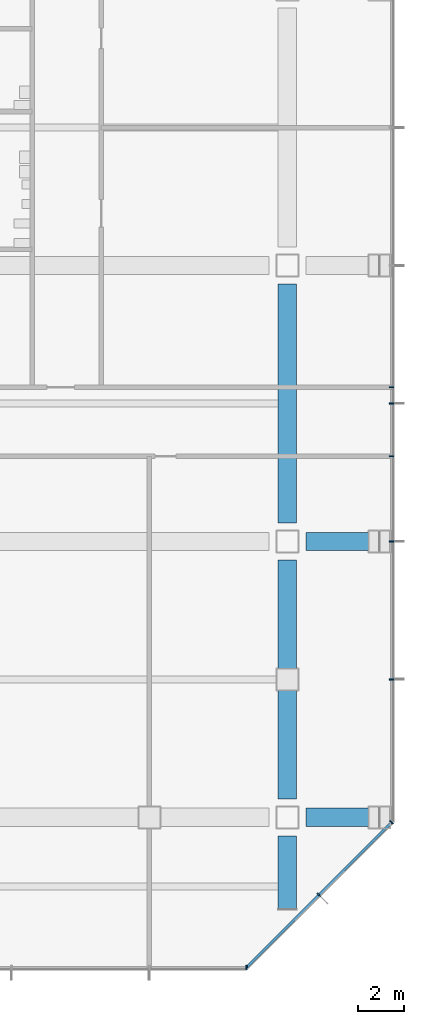
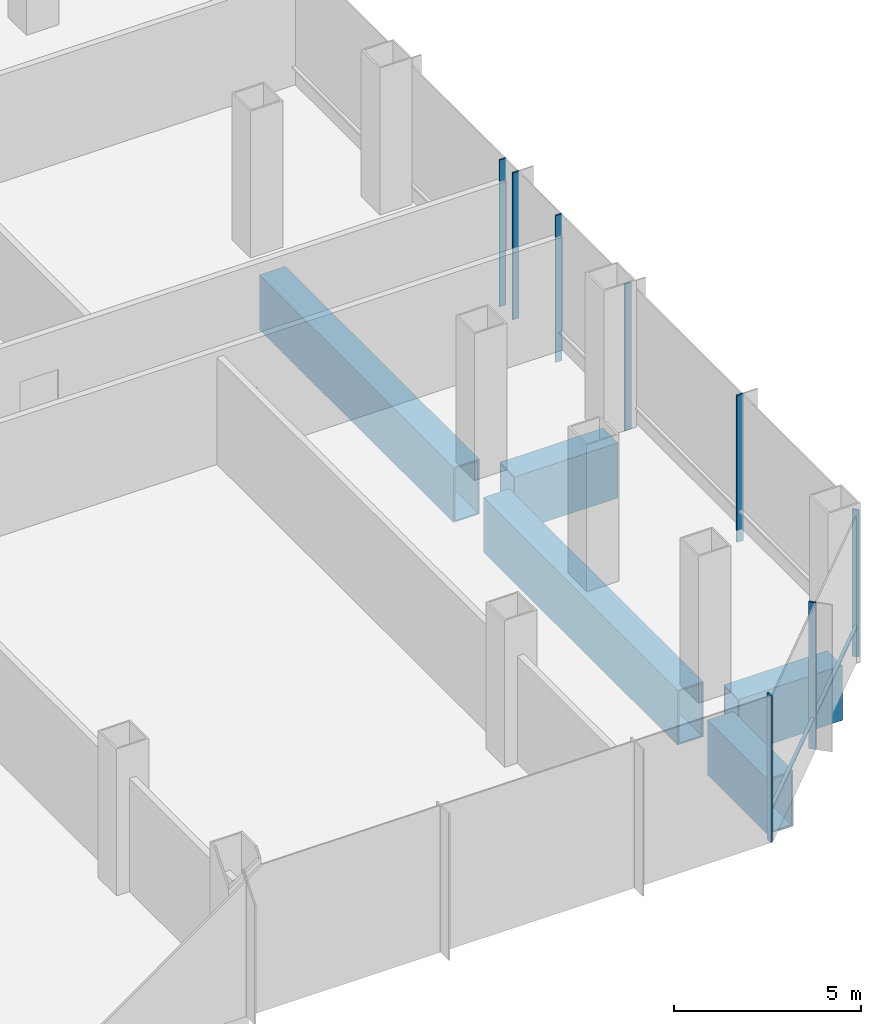
# One storey, part 16 of 34: 9 members, 5 beams, 3 elements without a shape of their own.
"""IFC4 building model written with IfcOpenShell, lengths in metres."""

from ifc_helpers import new_model, si_unit, direction, frame, origin, origin_2d, place, context, subcontext, project, spatial, rectangle, hollow_rectangle, extrude, material, material_profile, profile_set, type_object, element, aggregate, save


model = new_model("IFC4")

# Units and contexts
model_context = context("Model", 3, precision=1e-05, world=origin(), true_north=direction((0.0, 1.0)))
body_context = subcontext(model_context, "Body", "Model", "MODEL_VIEW")
ifc_project = project(units=[si_unit("LENGTHUNIT", "METRE"), si_unit("AREAUNIT", "SQUARE_METRE"), si_unit("VOLUMEUNIT", "CUBIC_METRE"), si_unit("PLANEANGLEUNIT", "RADIAN"), si_unit("MASSUNIT", "GRAM", prefix="KILO")], contexts=[model_context])

# Site, building, storey
site_placement = place(None, origin())
site = spatial("IfcSite", under=ifc_project, at=site_placement, CompositionType="ELEMENT")
building_placement = place(site_placement, origin())
building = spatial("IfcBuilding", under=site, at=building_placement, Name="Sorahane Residences", CompositionType="ELEMENT")
storey_placement = place(building_placement, frame((0.0, 0.0, 20.39990234375)))
storey = spatial("IfcBuildingStorey", under=building, at=storey_placement, Name="L02", CompositionType="ELEMENT", Elevation=20.39990234375)

# Curtain wall, member
ifc_material_1 = material(Name="Dark low-e glass and black anodised aluminium", Category="aluminium")
curtain_wall_type = type_object("IfcCurtainWallType", Name="Curtain wall CW-3 Podium unitised wall", PredefinedType="NOTDEFINED", material=ifc_material_1)
curtain_wall_1_placement = place(storey_placement, origin())
curtain_wall_1 = element("IfcCurtainWall", 1, at=curtain_wall_1_placement, inside=storey, type_object=curtain_wall_type, Name="CW-3 curtain wall L02 S1", PredefinedType="NOTDEFINED")
ifc_material_2 = material(Name="Black anodised aluminium", Category="aluminium")
ifc_material_profile_1 = material_profile(ifc_material_2, rectangle(XDim=0.199951171875, YDim=0.050048828125, at=origin_2d()), Name="Curtain wall mullion CW-3 black anodised aluminium 50x200")
ifc_profile_set_1 = profile_set([ifc_material_profile_1], Name="Black anodised aluminium")
member_type_1 = type_object("IfcMemberType", Name="Curtain wall mullion CW-3 black anodised aluminium 50x200", PredefinedType="MULLION", material=ifc_profile_set_1)
member_1_placement = place(storey_placement, frame((64.2236328125, -6.52001953125, -0.39990234375), z_axis=(0.0, 0.0, 1.0), x_axis=(0.0, -1.0, 0.0)))
member_1 = element("IfcMember", 2, at=member_1_placement, type_object=member_type_1, Name="CW-3 mullion L02 S1.11", PredefinedType="MULLION", context=body_context, shape_type="SweptSolid", body=[
    extrude(rectangle(XDim=0.199951171875, YDim=0.050048828125, at=origin_2d()), origin(), (0.0, 0.0, 1.0), 4.800048828125),
])
aggregate(curtain_wall_1, [member_1])

# Curtain wall, members
curtain_wall_2_placement = place(storey_placement, origin())
curtain_wall_2 = element("IfcCurtainWall", 3, at=curtain_wall_2_placement, inside=storey, type_object=curtain_wall_type, Name="CW-3 curtain wall L02 SE1", PredefinedType="NOTDEFINED")
member_2_placement = place(storey_placement, frame((67.36767578125, -3.36767578125, -0.39990234375), z_axis=(0.0, 0.0, 1.0), x_axis=(0.707106781187, -0.707106781187, 0.0)))
member_2 = element("IfcMember", 4, at=member_2_placement, type_object=member_type_1, Name="CW-3 mullion L02 SE1.2", PredefinedType="MULLION", context=body_context, shape_type="SweptSolid", body=[
    extrude(rectangle(XDim=0.199951171875, YDim=0.050048828125, at=origin_2d()), origin(), (0.0, 0.0, 1.0), 4.800048828125),
])
member_3_placement = place(storey_placement, frame((70.525634765625, -0.209716796875, -0.39990234375), z_axis=(0.0, 0.0, 1.0), x_axis=(0.707106781187, -0.707106781187, 0.0)))
member_3 = element("IfcMember", 5, at=member_3_placement, type_object=member_type_1, Name="CW-3 mullion L02 SE1.3", PredefinedType="MULLION", context=body_context, shape_type="SweptSolid", body=[
    extrude(rectangle(XDim=0.199951171875, YDim=0.050048828125, at=origin_2d()), origin(), (0.0, 0.0, 1.0), 4.800048828125),
])

curtain_wall_3_placement = place(storey_placement, origin())
curtain_wall_3 = element("IfcCurtainWall", 6, at=curtain_wall_3_placement, inside=storey, type_object=curtain_wall_type, Name="CW-3 curtain wall L02 E1", PredefinedType="NOTDEFINED")
member_4_placement = place(storey_placement, frame((70.52001953125, 6.0, -0.39990234375), z_axis=(0.0, 0.0, 1.0), x_axis=(1.0, 0.0, 0.0)))
member_4 = element("IfcMember", 7, at=member_4_placement, type_object=member_type_1, Name="CW-3 mullion L02 E1.2", PredefinedType="MULLION", context=body_context, shape_type="SweptSolid", body=[
    extrude(rectangle(XDim=0.199951171875, YDim=0.050048828125, at=origin_2d()), origin(), (0.0, 0.0, 1.0), 4.800048828125),
])
member_5_placement = place(storey_placement, frame((70.52001953125, 12.0, -0.39990234375), z_axis=(0.0, 0.0, 1.0), x_axis=(1.0, 0.0, 0.0)))
member_5 = element("IfcMember", 8, at=member_5_placement, type_object=member_type_1, Name="CW-3 mullion L02 E1.3", PredefinedType="MULLION", context=body_context, shape_type="SweptSolid", body=[
    extrude(rectangle(XDim=0.199951171875, YDim=0.050048828125, at=origin_2d()), origin(), (0.0, 0.0, 1.0), 4.800048828125),
])
member_6_placement = place(storey_placement, frame((70.52001953125, 15.699951171875, -0.39990234375), z_axis=(0.0, 0.0, 1.0), x_axis=(1.0, 0.0, 0.0)))
member_6 = element("IfcMember", 9, at=member_6_placement, type_object=member_type_1, Name="CW-3 mullion L02 E1.4", PredefinedType="MULLION", context=body_context, shape_type="SweptSolid", body=[
    extrude(rectangle(XDim=0.199951171875, YDim=0.050048828125, at=origin_2d()), origin(), (0.0, 0.0, 1.0), 4.800048828125),
])
member_7_placement = place(storey_placement, frame((70.52001953125, 18.0, -0.39990234375), z_axis=(0.0, 0.0, 1.0), x_axis=(1.0, 0.0, 0.0)))
member_7 = element("IfcMember", 10, at=member_7_placement, type_object=member_type_1, Name="CW-3 mullion L02 E1.5", PredefinedType="MULLION", context=body_context, shape_type="SweptSolid", body=[
    extrude(rectangle(XDim=0.199951171875, YDim=0.050048828125, at=origin_2d()), origin(), (0.0, 0.0, 1.0), 4.800048828125),
])
member_8_placement = place(storey_placement, frame((70.52001953125, 18.699951171875, -0.39990234375), z_axis=(0.0, 0.0, 1.0), x_axis=(1.0, 0.0, 0.0)))
member_8 = element("IfcMember", 11, at=member_8_placement, type_object=member_type_1, Name="CW-3 mullion L02 E1.6", PredefinedType="MULLION", context=body_context, shape_type="SweptSolid", body=[
    extrude(rectangle(XDim=0.199951171875, YDim=0.050048828125, at=origin_2d()), origin(), (0.0, 0.0, 1.0), 4.800048828125),
])
aggregate(curtain_wall_3, [member_4, member_5, member_6, member_7, member_8])

# Member
ifc_material_3 = material(Name="Black anodised aluminium", Category="aluminium")
ifc_material_profile_2 = material_profile(ifc_material_3, rectangle(XDim=0.10009765625, YDim=0.06005859375, at=origin_2d()), Name="Curtain wall transom CW-3 black anodised aluminium 60x100")
ifc_profile_set_2 = profile_set([ifc_material_profile_2], Name="Black anodised aluminium")
member_type_2 = type_object("IfcMemberType", Name="Curtain wall transom CW-3 black anodised aluminium 60x100", PredefinedType="USERDEFINED", material=ifc_profile_set_2)
member_9_placement = place(storey_placement, frame((64.234375, -6.51513671875, 0.60009765625), z_axis=(0.707106781187, 0.707106781187, 0.0), x_axis=(-0.707106781187, 0.707106781187, 0.0)))
member_9 = element("IfcMember", 12, at=member_9_placement, type_object=member_type_2, Name="CW-3 transom L02 SE1", ObjectType="TRANSOM", PredefinedType="USERDEFINED", context=body_context, shape_type="SweptSolid", body=[
    extrude(rectangle(XDim=0.10009765625, YDim=0.06005859375, at=origin_2d()), origin(), (0.0, 0.0, 1.0), 8.88232421875),
])

aggregate(curtain_wall_2, [member_2, member_3, member_9])

# Beams
ifc_material_4 = material(Name="Steel Q420GJ", Category="steel")
ifc_material_profile_3 = material_profile(ifc_material_4, hollow_rectangle(XDim=0.800048828125, YDim=1.800048828125, WallThickness=0.050048828125, at=origin_2d()), Name="BOX 1800x800x50")
ifc_profile_set_3 = profile_set([ifc_material_profile_3], Name="Steel Q420GJ")
beam_type = type_object("IfcBeamType", Name="Steel transfer girder BOX 1800x800x50 Q420GJ", PredefinedType="BEAM", material=ifc_profile_set_3)
for number, where, z_axis, x_axis, name in (
    (13, (66.800048828125, 0.0, -1.2998046875), (1.0, 0.0, 0.0), (0.0, 1.0, 0.0), "Beam L02 005"),
    (14, (66.800048828125, 12.0, -1.2998046875), (1.0, 0.0, 0.0), (0.0, 1.0, 0.0), "Beam L02 011"),
):
    element("IfcBeam", number, at=place(storey_placement, frame(where, z_axis=z_axis, x_axis=x_axis)), inside=storey, type_object=beam_type, Name=name, PredefinedType="BEAM", context=body_context, shape_type="SweptSolid", body=[
        extrude(hollow_rectangle(XDim=0.800048828125, YDim=1.800048828125, WallThickness=0.050048828125, at=origin_2d()), origin(), (0.0, 0.0, 1.0), 3.199951171875),
    ])
for number, where, z_axis, x_axis, name in (
    (15, (66.0, 0.800048828125, -1.2998046875), (0.0, 1.0, 0.0), (-1.0, 0.0, 0.0), "Beam L02 050"),
    (16, (66.0, 12.800048828125, -1.2998046875), (0.0, 1.0, 0.0), (-1.0, 0.0, 0.0), "Beam L02 051"),
):
    element("IfcBeam", number, at=place(storey_placement, frame(where, z_axis=z_axis, x_axis=x_axis)), inside=storey, type_object=beam_type, Name=name, PredefinedType="BEAM", context=body_context, shape_type="SweptSolid", body=[
        extrude(hollow_rectangle(XDim=0.800048828125, YDim=1.800048828125, WallThickness=0.050048828125, at=origin_2d()), origin(), (0.0, 0.0, 1.0), 10.39990234375),
    ])
beam_placement = place(storey_placement, frame((66.0, -4.0, -1.2998046875), z_axis=(0.0, 1.0, 0.0), x_axis=(-1.0, 0.0, 0.0)))
element("IfcBeam", 17, at=beam_placement, inside=storey, type_object=beam_type, Name="Beam L02 054", PredefinedType="BEAM", context=body_context, shape_type="SweptSolid", body=[
    extrude(hollow_rectangle(XDim=0.800048828125, YDim=1.800048828125, WallThickness=0.050048828125, at=origin_2d()), origin(), (0.0, 0.0, 1.0), 3.199951171875),
])

save(model, "model.ifc")
